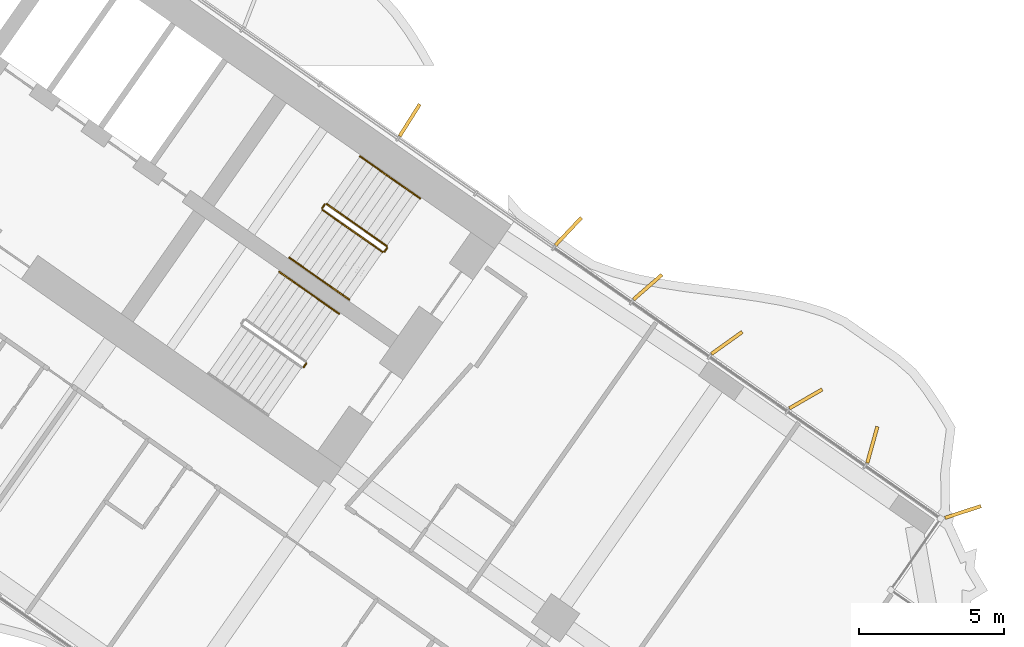
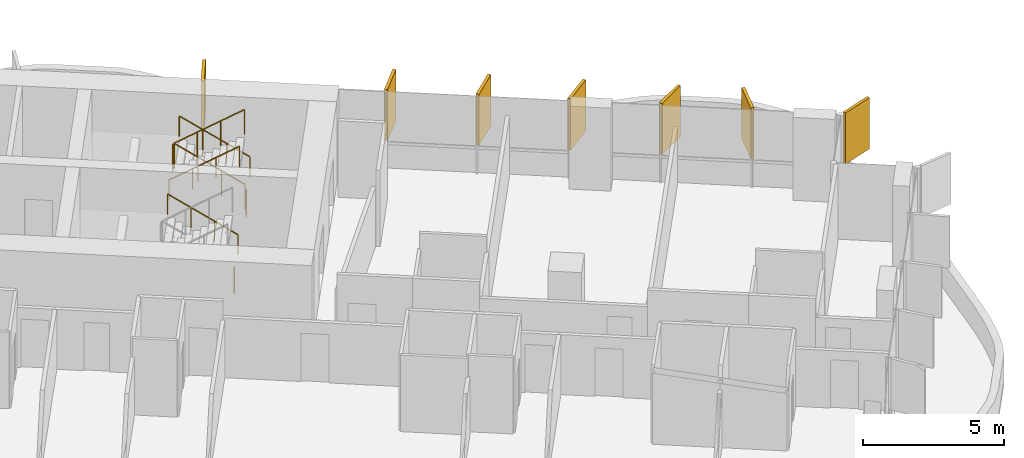
# One storey, part 24 of 24: 8 railings, 7 shading devices.
"""IFC4 building model written with IfcOpenShell, lengths in metres."""

from ifc_helpers import new_model, si_unit, direction, frame, origin, origin_2d, place, context, subcontext, project, spatial, rectangle, circle, extrude, material, layer, layer_set, type_object, element, save


model = new_model("IFC4")

# Units and contexts
model_context = context("Model", 3, precision=1e-05, world=origin(), true_north=direction((0.0, 1.0)))
body_context = subcontext(model_context, "Body", "Model", "MODEL_VIEW")
ifc_project = project(units=[si_unit("LENGTHUNIT", "METRE"), si_unit("AREAUNIT", "SQUARE_METRE"), si_unit("VOLUMEUNIT", "CUBIC_METRE"), si_unit("PLANEANGLEUNIT", "RADIAN"), si_unit("MASSUNIT", "GRAM", prefix="KILO")], contexts=[model_context])

# Site, building, storey
site_placement = place(None, origin())
site = spatial("IfcSite", under=ifc_project, at=site_placement, CompositionType="ELEMENT")
building_placement = place(site_placement, origin())
building = spatial("IfcBuilding", under=site, at=building_placement, Name="Tel Ilan Convention Tower", CompositionType="ELEMENT")
storey_placement = place(building_placement, frame((0.0, 0.0, 68.89990234375)))
storey = spatial("IfcBuildingStorey", under=building, at=storey_placement, Name="L12", CompositionType="ELEMENT", Elevation=68.89990234375)

# Shading devices
ifc_material_1 = material(Name="Aluminium, bronze anodised", Category="aluminium")
ifc_layer = layer(ifc_material_1, 0.1201171875)
ifc_layer_set = layer_set([ifc_layer], Name="FIN BRONZE 1300x120")
shading_device_type = type_object("IfcShadingDeviceType", Name="FIN BRONZE 1300x120", PredefinedType="USERDEFINED", material=ifc_layer_set)
for number, where, z_axis, x_axis, name in (
    (1, (29.933837890625, -7.3466796875, 1.10009765625), (0.0, 0.0, 1.0), (0.686241637865, 0.727373641577, 0.0), "FIN"),
    (2, (24.470458984375, -3.520751953125, 1.10009765625), (0.0, 0.0, 1.0), (0.533204432798, 0.845986425922, 0.0), "FIN"),
    (3, (43.509521484375, -17.00390625, 1.10009765625), (0.0, 0.0, 1.0), (0.949242643575, 0.314544756146, 0.0), "FIN"),
    (4, (40.3896484375, -14.69091796875, 1.10009765625), (0.0, 0.0, 1.0), (0.268172612768, 0.963370878614, 0.0), "FIN"),
    (5, (38.10107421875, -13.111083984375, 1.10009765625), (0.0, 0.0, 1.0), (0.866025403784, 0.5, 0.0), "FIN"),
    (6, (35.383544921875, -11.185791015625, 1.10009765625), (0.0, 0.0, 1.0), (0.813552070258, 0.581492071294, 0.0), "FIN"),
    (7, (32.660888671875, -9.26416015625, 1.10009765625), (0.0, 0.0, 1.0), (0.753435896329, 0.657521368568, 0.0), "FIN"),
):
    element("IfcShadingDevice", number, at=place(storey_placement, frame(where, z_axis=z_axis, x_axis=x_axis)), inside=storey, type_object=shading_device_type, Name=name, ObjectType="FIN", PredefinedType="USERDEFINED", context=body_context, shape_type="SweptSolid", body=[
        extrude(rectangle(XDim=1.300048828125, YDim=0.1201171875, at=origin_2d()), origin(), (0.0, 0.0, 1.0), 2.219970703125),
    ])

# Railings
ifc_material_2 = material(Name="Stainless Steel Grade 316", Category="steel")
railing_type_1 = type_object("IfcRailingType", Name="Stainless Steel Stair Guard 1100 mm", PredefinedType="GUARDRAIL", material=ifc_material_2)
railing_1_placement = place(storey_placement, frame((23.6787109375, -7.8515625, 0.18017578125)))
element("IfcRailing", 8, at=railing_1_placement, inside=storey, type_object=railing_type_1, Name="L12 S3 stair guard 1", PredefinedType="GUARDRAIL", context=body_context, shape_type="SweptSolid", body=[
    extrude(circle(Radius=0.02392578125, at=origin_2d()), frame((0.0, 0.0, 1.076171875), z_axis=(-0.689043377453, 0.48253410265, 0.540721798865), x_axis=(-0.573624882958, -0.819118119475, 0.0)), (0.0, 0.0, 1.0), 2.995849609375),
    extrude(circle(Radius=0.02099609375, at=origin_2d()), origin(), (0.0, 0.0, 1.0), 1.052001953125),
    extrude(circle(Radius=0.02099609375, at=origin_2d()), frame((-0.68798828125, 0.48193359375, 0.5400390625)), (0.0, 0.0, 1.0), 1.052001953125),
    extrude(circle(Radius=0.02099609375, at=origin_2d()), frame((-1.376220703125, 0.963623046875, 1.079833984375)), (0.0, 0.0, 1.0), 1.052001953125),
    extrude(circle(Radius=0.02099609375, at=origin_2d()), frame((-2.064208984375, 1.445556640625, 1.619873046875)), (0.0, 0.0, 1.0), 1.052001953125),
])
railing_2_placement = place(storey_placement, frame((21.544921875, -6.41845703125, 1.800048828125)))
element("IfcRailing", 9, at=railing_2_placement, inside=storey, type_object=railing_type_1, Name="L12 S3 stair guard 2", PredefinedType="GUARDRAIL", context=body_context, shape_type="SweptSolid", body=[
    extrude(circle(Radius=0.02392578125, at=origin_2d()), frame((0.0, 0.0, 1.076171875), z_axis=(-0.573353020881, -0.819308436089, 0.0), x_axis=(0.819308436089, -0.573353020881, 0.0)), (0.0, 0.0, 1.0), 0.14990234375),
    extrude(circle(Radius=0.02099609375, at=origin_2d()), origin(), (0.0, 0.0, 1.0), 1.052001953125),
    extrude(circle(Radius=0.02099609375, at=origin_2d()), frame((-0.0859375, -0.122802734375, 0.0)), (0.0, 0.0, 1.0), 1.052001953125),
])
railing_3_placement = place(storey_placement, frame((21.47119140625, -6.61083984375, 1.97998046875)))
element("IfcRailing", 10, at=railing_3_placement, inside=storey, type_object=railing_type_1, Name="L12 S3 stair guard 3", PredefinedType="GUARDRAIL", context=body_context, shape_type="SweptSolid", body=[
    extrude(circle(Radius=0.02392578125, at=origin_2d()), frame((0.0, 0.0, 1.076171875), z_axis=(0.689013013563, -0.482512838948, 0.540779462804), x_axis=(0.573624882958, 0.819118119475, 0.0)), (0.0, 0.0, 1.0), 2.995849609375),
    extrude(circle(Radius=0.02099609375, at=origin_2d()), origin(), (0.0, 0.0, 1.0), 1.052001953125),
    extrude(circle(Radius=0.02099609375, at=origin_2d()), frame((0.68798828125, -0.48193359375, 0.5400390625)), (0.0, 0.0, 1.0), 1.052001953125),
    extrude(circle(Radius=0.02099609375, at=origin_2d()), frame((1.376220703125, -0.963623046875, 1.080078125)), (0.0, 0.0, 1.0), 1.052001953125),
    extrude(circle(Radius=0.02099609375, at=origin_2d()), frame((2.064208984375, -1.445556640625, 1.6201171875)), (0.0, 0.0, 1.0), 1.052001953125),
])
railing_4_placement = place(storey_placement, frame((23.691162109375, -7.921142578125, 0.0)))
element("IfcRailing", 11, at=railing_4_placement, inside=storey, type_object=railing_type_1, Name="L12 S3 stair guard 4", PredefinedType="GUARDRAIL", context=body_context, shape_type="SweptSolid", body=[
    extrude(circle(Radius=0.02392578125, at=origin_2d()), frame((0.0, 0.0, 1.076171875), z_axis=(-0.574444878118, -0.818543268254, 0.0), x_axis=(0.818543268254, -0.574444878118, 0.0)), (0.0, 0.0, 1.0), 0.150146484375),
    extrude(circle(Radius=0.02099609375, at=origin_2d()), origin(), (0.0, 0.0, 1.0), 1.052001953125),
    extrude(circle(Radius=0.02099609375, at=origin_2d()), frame((-0.086181640625, -0.122802734375, 0.0)), (0.0, 0.0, 1.0), 1.052001953125),
])
railing_5_placement = place(storey_placement, frame((20.9091796875, -11.89404296875, 0.0)))
element("IfcRailing", 12, at=railing_5_placement, inside=storey, type_object=railing_type_1, Name="L12 S4 stair guard 4", PredefinedType="GUARDRAIL", context=body_context, shape_type="SweptSolid", body=[
    extrude(circle(Radius=0.02392578125, at=origin_2d()), frame((0.0, 0.0, 1.076171875), z_axis=(-0.573353020881, -0.819308436089, 0.0), x_axis=(0.819308436089, -0.573353020881, 0.0)), (0.0, 0.0, 1.0), 0.14990234375),
    extrude(circle(Radius=0.02099609375, at=origin_2d()), origin(), (0.0, 0.0, 1.0), 1.052001953125),
    extrude(circle(Radius=0.02099609375, at=origin_2d()), frame((-0.0859375, -0.122802734375, 0.0)), (0.0, 0.0, 1.0), 1.052001953125),
])
ifc_material_3 = material(Name="Stainless Steel Grade 316", Category="steel")
railing_type_2 = type_object("IfcRailingType", Name="Stainless Steel Stair Handrail 900 mm", PredefinedType="HANDRAIL", material=ifc_material_3)
railing_6_placement = place(storey_placement, frame((24.825927734375, -6.213134765625, 0.18017578125)))
element("IfcRailing", 13, at=railing_6_placement, inside=storey, type_object=railing_type_2, Name="L12 S3 stair handrail 1", PredefinedType="HANDRAIL", context=body_context, shape_type="SweptSolid", body=[
    extrude(circle(Radius=0.02392578125, at=origin_2d()), frame((0.0, 0.0, 0.8759765625), z_axis=(-0.68907047291, 0.482471578903, 0.540743061828), x_axis=(-0.573559875649, -0.819163639968, 0.0)), (0.0, 0.0, 1.0), 2.99560546875),
    extrude(circle(Radius=0.02099609375, at=origin_2d()), origin(), (0.0, 0.0, 1.0), 0.851806640625),
    extrude(circle(Radius=0.02099609375, at=origin_2d()), frame((-0.68798828125, 0.481689453125, 0.5400390625)), (0.0, 0.0, 1.0), 0.851806640625),
    extrude(circle(Radius=0.02099609375, at=origin_2d()), frame((-1.376220703125, 0.963623046875, 1.079833984375)), (0.0, 0.0, 1.0), 0.851806640625),
    extrude(circle(Radius=0.02099609375, at=origin_2d()), frame((-2.064208984375, 1.4453125, 1.619873046875)), (0.0, 0.0, 1.0), 0.851806640625),
])
railing_7_placement = place(storey_placement, frame((20.323974609375, -8.249267578125, 1.97998046875)))
element("IfcRailing", 14, at=railing_7_placement, inside=storey, type_object=railing_type_2, Name="L12 S3 stair handrail 2", PredefinedType="HANDRAIL", context=body_context, shape_type="SweptSolid", body=[
    extrude(circle(Radius=0.02392578125, at=origin_2d()), frame((0.0, 0.0, 0.8759765625), z_axis=(0.689040105437, -0.482450316285, 0.54080072616), x_axis=(0.573559875649, 0.819163639968, 0.0)), (0.0, 0.0, 1.0), 2.995849609375),
    extrude(circle(Radius=0.02099609375, at=origin_2d()), origin(), (0.0, 0.0, 1.0), 0.851806640625),
    extrude(circle(Radius=0.02099609375, at=origin_2d()), frame((0.68798828125, -0.481689453125, 0.5400390625)), (0.0, 0.0, 1.0), 0.851806640625),
    extrude(circle(Radius=0.02099609375, at=origin_2d()), frame((1.376220703125, -0.963623046875, 1.080078125)), (0.0, 0.0, 1.0), 0.851806640625),
    extrude(circle(Radius=0.02099609375, at=origin_2d()), frame((2.064208984375, -1.4453125, 1.6201171875)), (0.0, 0.0, 1.0), 0.851806640625),
])
railing_8_placement = place(storey_placement, frame((22.044189453125, -10.18603515625, 0.18017578125)))
element("IfcRailing", 15, at=railing_8_placement, inside=storey, type_object=railing_type_2, Name="L12 S4 stair handrail 1", PredefinedType="HANDRAIL", context=body_context, shape_type="SweptSolid", body=[
    extrude(circle(Radius=0.02392578125, at=origin_2d()), frame((0.0, 0.0, 0.8759765625), z_axis=(-0.689113270881, 0.482444484817, 0.540712695399), x_axis=(-0.573514357932, -0.81919550856, 0.0)), (0.0, 0.0, 1.0), 2.995849609375),
    extrude(circle(Radius=0.02099609375, at=origin_2d()), origin(), (0.0, 0.0, 1.0), 0.851806640625),
    extrude(circle(Radius=0.02099609375, at=origin_2d()), frame((-0.688232421875, 0.481689453125, 0.5400390625)), (0.0, 0.0, 1.0), 0.851806640625),
    extrude(circle(Radius=0.02099609375, at=origin_2d()), frame((-1.376220703125, 0.963623046875, 1.079833984375)), (0.0, 0.0, 1.0), 0.851806640625),
    extrude(circle(Radius=0.02099609375, at=origin_2d()), frame((-2.064453125, 1.4453125, 1.619873046875)), (0.0, 0.0, 1.0), 0.851806640625),
])

save(model, "model.ifc")
